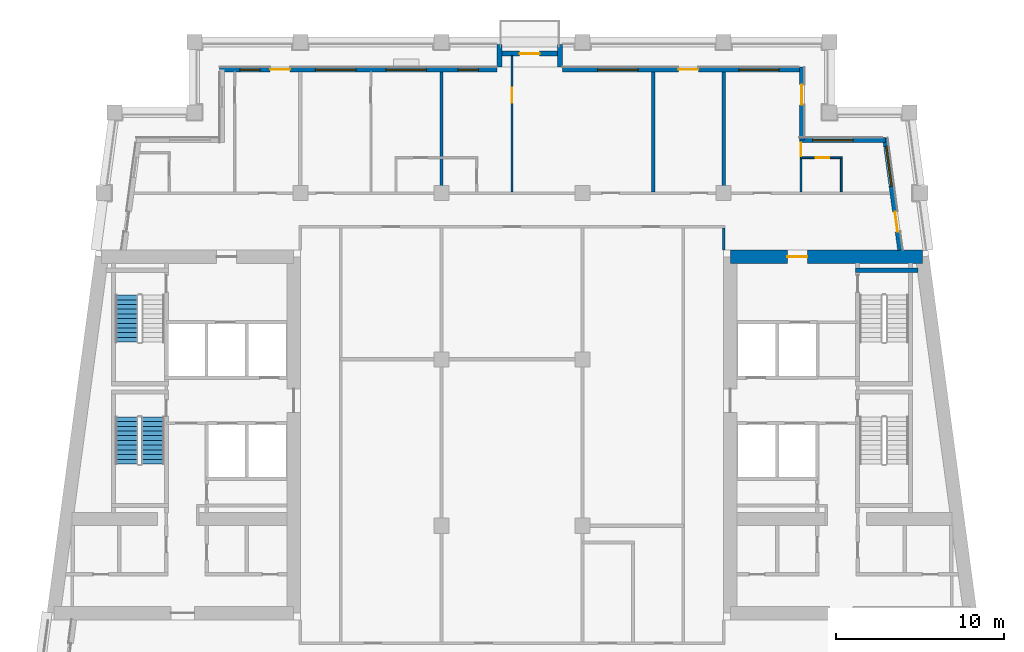
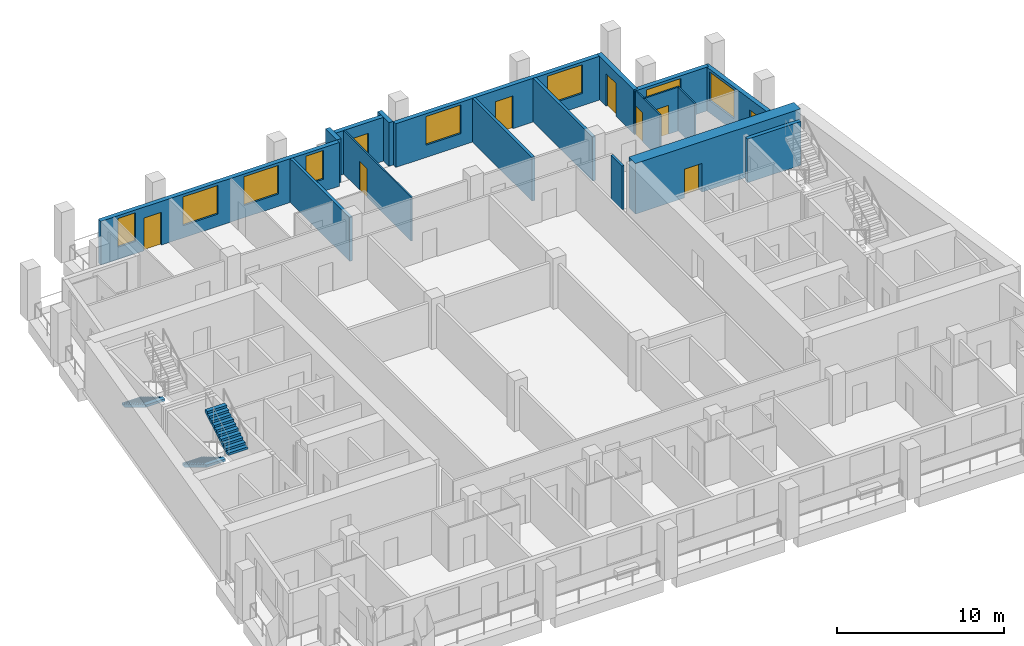
# One storey, part 7 of 13: 18 walls, 9 doors, 8 windows, 3 stair flights, 17 openings, 2 elements without a shape of their own.
"""IFC4 building model written with IfcOpenShell, lengths in metres."""

from ifc_helpers import new_model, si_unit, direction, frame, frame_2d, origin, place, context, subcontext, project, spatial, polyline, rectangle, outline, extrude, material, layer, layer_set, type_object, element, fill, aggregate, save


model = new_model("IFC4")

# Units and contexts
model_context = context("Model", 3, precision=1e-05, world=origin(), true_north=direction((0.0, 1.0)))
body_context = subcontext(model_context, "Body", "Model", "MODEL_VIEW")
ifc_project = project(units=[si_unit("LENGTHUNIT", "METRE"), si_unit("AREAUNIT", "SQUARE_METRE"), si_unit("VOLUMEUNIT", "CUBIC_METRE"), si_unit("PLANEANGLEUNIT", "RADIAN"), si_unit("MASSUNIT", "GRAM", prefix="KILO")], contexts=[model_context])

# Site, building, storey
site_placement = place(None, origin())
site = spatial("IfcSite", under=ifc_project, at=site_placement, CompositionType="ELEMENT")
building_placement = place(site_placement, origin())
building = spatial("IfcBuilding", under=site, at=building_placement, Name="Candeia Pilgrim Tower and Theatre", CompositionType="ELEMENT")
storey_placement = place(building_placement, frame((0.0, 0.0, 242.89990234375)))
storey = spatial("IfcBuildingStorey", under=building, at=storey_placement, Name="L59", CompositionType="ELEMENT", Elevation=242.89990234375)

# Wall, opening, door
ifc_material_1 = material(Name="Concrete C50/60", Category="concrete")
ifc_layer_1 = layer(ifc_material_1, 0.800048828125)
ifc_layer_set_1 = layer_set([ifc_layer_1], Name="Core wall 800 C50/60")
wall_type_1 = type_object("IfcWallType", Name="Core wall 800 C50/60", PredefinedType="SHEAR", material=ifc_layer_set_1)
wall_1_placement = place(storey_placement, frame((126.39990234375, 132.0, 0.0), z_axis=(0.0, 0.0, 1.0), x_axis=(1.0, 0.0, 0.0)))
wall_1 = element("IfcWall", 1, at=wall_1_placement, inside=storey, type_object=wall_type_1, Name="Core wall E1", PredefinedType="SHEAR", context=body_context, shape_type="SweptSolid", body=[
    extrude(rectangle(XDim=11.419677734375, YDim=0.800048828125, at=frame_2d((5.7099609375, 0.0))), origin(), (0.0, 0.0, 1.0), 3.7001953125),
])
opening_1_placement = place(wall_1_placement, frame((3.386474609375, 0.0, 0.0)))
opening_1 = element("IfcOpeningElement", 2, at=opening_1_placement, cuts=wall_1, Name="Opening L59-D060", PredefinedType="OPENING", context=body_context, shape_type="SweptSolid", body=[
    extrude(rectangle(XDim=1.199951171875, YDim=2.10009765625, at=frame_2d((0.60009765625, 1.050048828125))), frame((0.0, 0.41015625, 0.0), z_axis=(0.0, -1.0, 0.0), x_axis=(1.0, 0.0, 0.0)), (0.0, 0.0, 1.0), 0.820068359375),
])
ifc_material_2 = material(Name="Steel fire door set", Category="steel")
door_type_1 = type_object("IfcDoorType", Name="D-1200-FD60", OperationType="NOTDEFINED", PredefinedType="DOOR", material=ifc_material_2)
door_1_placement = place(opening_1_placement, origin())
door_1 = element("IfcDoor", 3, at=door_1_placement, inside=storey, type_object=door_type_1, Name="Door L59-D060", OperationType="SINGLE_SWING_LEFT", OverallHeight=2.10009765625, OverallWidth=1.199951171875, PredefinedType="DOOR", context=body_context, shape_type="SweptSolid", body=[
    extrude(rectangle(XDim=1.199951171875, YDim=2.10009765625, at=frame_2d((0.60009765625, 1.050048828125))), frame((0.0, 0.02490234375, 0.0), z_axis=(0.0, -1.0, 0.0), x_axis=(1.0, 0.0, 0.0)), (0.0, 0.0, 1.0), 0.050048828125),
])
fill(opening_1, door_1)

# Wall, openings, door, window
ifc_material_3 = material(Name="Ceramic block masonry", Category="masonry")
ifc_layer_2 = layer(ifc_material_3, 0.300048828125)
ifc_layer_set_2 = layer_set([ifc_layer_2], Name="EW1 glazing-line wall 300")
wall_type_2 = type_object("IfcWallType", Name="EW1 glazing-line wall 300", PredefinedType="SOLIDWALL", material=ifc_layer_set_2)
wall_2_placement = place(storey_placement, frame((136.50439453125, 132.39990234375, 0.0), z_axis=(0.0, 0.0, 1.0), x_axis=(-0.133399697462, 0.99106231929, 0.0)))
wall_2 = element("IfcWall", 4, at=wall_2_placement, inside=storey, type_object=wall_type_2, Name="External wall L59-3.1", PredefinedType="SOLIDWALL", context=body_context, shape_type="SweptSolid", body=[
    extrude(rectangle(XDim=6.740478515625, YDim=0.300048828125, at=frame_2d((3.3701171875, 0.0))), origin(), (0.0, 0.0, 1.0), 3.2001953125),
])
opening_2_placement = place(wall_2_placement, frame((1.115234375, 0.0, 0.0)))
opening_2 = element("IfcOpeningElement", 5, at=opening_2_placement, cuts=wall_2, Name="Opening L59-ED569", PredefinedType="OPENING", context=body_context, shape_type="SweptSolid", body=[
    extrude(rectangle(XDim=1.199951171875, YDim=2.39990234375, at=frame_2d((0.60009765625, 1.199951171875))), frame((0.0, 0.16015625, 0.0), z_axis=(0.0, -1.0, 0.0), x_axis=(1.0, 0.0, 0.0)), (0.0, 0.0, 1.0), 0.320068359375),
])
opening_3_placement = place(wall_2_placement, frame((3.83544921875, 0.0, 0.89990234375)))
opening_3 = element("IfcOpeningElement", 6, at=opening_3_placement, cuts=wall_2, Name="Opening W-A", PredefinedType="OPENING", context=body_context, shape_type="SweptSolid", body=[
    extrude(rectangle(XDim=2.39990234375, YDim=2.10009765625, at=frame_2d((1.199951171875, 1.050048828125))), frame((0.0, 0.16015625, 0.0), z_axis=(0.0, -1.0, 0.0), x_axis=(1.0, 0.0, 0.0)), (0.0, 0.0, 1.0), 0.320068359375),
])
ifc_material_4 = material(Name="Aluminium framed glazed door", Category="aluminium")
door_type_2 = type_object("IfcDoorType", Name="Loggia door 1200x2400", OperationType="DOUBLE_DOOR_SINGLE_SWING", PredefinedType="DOOR", material=ifc_material_4)
door_2_placement = place(opening_2_placement, origin())
door_2 = element("IfcDoor", 7, at=door_2_placement, inside=storey, type_object=door_type_2, Name="Loggia door L59-ED569", OperationType="DOUBLE_DOOR_SINGLE_SWING", OverallHeight=2.39990234375, OverallWidth=1.199951171875, PredefinedType="DOOR", context=body_context, shape_type="SweptSolid", body=[
    extrude(rectangle(XDim=1.199951171875, YDim=2.39990234375, at=frame_2d((0.60009765625, 1.199951171875))), frame((0.0, 0.02490234375, 0.0), z_axis=(0.0, -1.0, 0.0), x_axis=(1.0, 0.0, 0.0)), (0.0, 0.0, 1.0), 0.050048828125),
])
fill(opening_2, door_2)
ifc_material_5 = material(Name="Aluminium framed double glazing", Category="aluminium")
window_type_1 = type_object("IfcWindowType", Name="W-A window 2400x2100", PartitioningType="DOUBLE_PANEL_VERTICAL", PredefinedType="WINDOW", material=ifc_material_5)
window_1_placement = place(opening_3_placement, origin())
window_1 = element("IfcWindow", 8, at=window_1_placement, inside=storey, type_object=window_type_1, Name="Window W-A L59", OverallHeight=2.10009765625, OverallWidth=2.39990234375, PartitioningType="SINGLE_PANEL", PredefinedType="WINDOW", context=body_context, shape_type="SweptSolid", body=[
    extrude(rectangle(XDim=2.39990234375, YDim=2.10009765625, at=frame_2d((1.199951171875, 1.050048828125))), frame((0.0, 0.030029296875, 0.0), z_axis=(0.0, -1.0, 0.0), x_axis=(1.0, 0.0, 0.0)), (0.0, 0.0, 1.0), 0.06005859375),
])
fill(opening_3, window_1)

# Wall, opening, window
wall_3_placement = place(storey_placement, frame((135.62255859375, 138.949951171875, 0.0), z_axis=(0.0, 0.0, 1.0), x_axis=(-1.0, 0.0, 0.0)))
wall_3 = element("IfcWall", 9, at=wall_3_placement, inside=storey, type_object=wall_type_2, Name="External wall L59-4.0", PredefinedType="SOLIDWALL", context=body_context, shape_type="SweptSolid", body=[
    extrude(rectangle(XDim=5.12255859375, YDim=0.300048828125, at=frame_2d((2.561279296875, 0.0))), origin(), (0.0, 0.0, 1.0), 3.2001953125),
])
opening_4_placement = place(wall_3_placement, frame((1.922607421875, 0.0, 0.89990234375)))
opening_4 = element("IfcOpeningElement", 10, at=opening_4_placement, cuts=wall_3, Name="Opening W-A", PredefinedType="OPENING", context=body_context, shape_type="SweptSolid", body=[
    extrude(rectangle(XDim=2.39990234375, YDim=2.10009765625, at=frame_2d((1.199951171875, 1.050048828125))), frame((0.0, 0.16015625, 0.0), z_axis=(0.0, -1.0, 0.0), x_axis=(1.0, 0.0, 0.0)), (0.0, 0.0, 1.0), 0.320068359375),
])
window_2_placement = place(opening_4_placement, origin())
window_2 = element("IfcWindow", 11, at=window_2_placement, inside=storey, type_object=window_type_1, Name="Window W-A L59", OverallHeight=2.10009765625, OverallWidth=2.39990234375, PartitioningType="SINGLE_PANEL", PredefinedType="WINDOW", context=body_context, shape_type="SweptSolid", body=[
    extrude(rectangle(XDim=2.39990234375, YDim=2.10009765625, at=frame_2d((1.199951171875, 1.050048828125))), frame((0.0, 0.030029296875, 0.0), z_axis=(0.0, -1.0, 0.0), x_axis=(1.0, 0.0, 0.0)), (0.0, 0.0, 1.0), 0.06005859375),
])
fill(opening_4, window_2)

# Wall, opening, door
wall_4_placement = place(storey_placement, frame((130.64990234375, 138.949951171875, 0.0), z_axis=(0.0, 0.0, 1.0), x_axis=(0.0, 1.0, 0.0)))
wall_4 = element("IfcWall", 12, at=wall_4_placement, inside=storey, type_object=wall_type_2, Name="External wall L59-5.0", PredefinedType="SOLIDWALL", context=body_context, shape_type="SweptSolid", body=[
    extrude(rectangle(XDim=4.35009765625, YDim=0.300048828125, at=frame_2d((2.175048828125, 0.0))), origin(), (0.0, 0.0, 1.0), 3.2001953125),
])
opening_5_placement = place(wall_4_placement, frame((2.10009765625, 0.0, 0.0)))
opening_5 = element("IfcOpeningElement", 13, at=opening_5_placement, cuts=wall_4, Name="Opening L59-ED570", PredefinedType="OPENING", context=body_context, shape_type="SweptSolid", body=[
    extrude(rectangle(XDim=1.199951171875, YDim=2.39990234375, at=frame_2d((0.60009765625, 1.199951171875))), frame((0.0, 0.16015625, 0.0), z_axis=(0.0, -1.0, 0.0), x_axis=(1.0, 0.0, 0.0)), (0.0, 0.0, 1.0), 0.320068359375),
])
door_3_placement = place(opening_5_placement, origin())
door_3 = element("IfcDoor", 14, at=door_3_placement, inside=storey, type_object=door_type_2, Name="Loggia door L59-ED570", OperationType="DOUBLE_DOOR_SINGLE_SWING", OverallHeight=2.39990234375, OverallWidth=1.199951171875, PredefinedType="DOOR", context=body_context, shape_type="SweptSolid", body=[
    extrude(rectangle(XDim=1.199951171875, YDim=2.39990234375, at=frame_2d((0.60009765625, 1.199951171875))), frame((0.0, 0.02490234375, 0.0), z_axis=(0.0, -1.0, 0.0), x_axis=(1.0, 0.0, 0.0)), (0.0, 0.0, 1.0), 0.050048828125),
])
fill(opening_5, door_3)

# Wall, openings, door, windows
wall_5_placement = place(storey_placement, frame((130.64990234375, 143.14990234375, 0.0), z_axis=(0.0, 0.0, 1.0), x_axis=(-1.0, 0.0, 0.0)))
wall_5 = element("IfcWall", 15, at=wall_5_placement, inside=storey, type_object=wall_type_2, Name="External wall L59-6.0", PredefinedType="SOLIDWALL", context=body_context, shape_type="SweptSolid", body=[
    extrude(rectangle(XDim=14.25, YDim=0.300048828125, at=frame_2d((7.125, 0.0))), origin(), (0.0, 0.0, 1.0), 3.2001953125),
])
opening_6_placement = place(wall_5_placement, frame((1.35009765625, 0.0, 0.89990234375)))
opening_6 = element("IfcOpeningElement", 16, at=opening_6_placement, cuts=wall_5, Name="Opening W-A", PredefinedType="OPENING", context=body_context, shape_type="SweptSolid", body=[
    extrude(rectangle(XDim=2.39990234375, YDim=2.10009765625, at=frame_2d((1.199951171875, 1.050048828125))), frame((0.0, 0.16015625, 0.0), z_axis=(0.0, -1.0, 0.0), x_axis=(1.0, 0.0, 0.0)), (0.0, 0.0, 1.0), 0.320068359375),
])
opening_7_placement = place(wall_5_placement, frame((6.14990234375, 0.0, 0.0)))
opening_7 = element("IfcOpeningElement", 17, at=opening_7_placement, cuts=wall_5, Name="Opening L59-ED571", PredefinedType="OPENING", context=body_context, shape_type="SweptSolid", body=[
    extrude(rectangle(XDim=1.199951171875, YDim=2.39990234375, at=frame_2d((0.60009765625, 1.199951171875))), frame((0.0, 0.16015625, 0.0), z_axis=(0.0, -1.0, 0.0), x_axis=(1.0, 0.0, 0.0)), (0.0, 0.0, 1.0), 0.320068359375),
])
opening_8_placement = place(wall_5_placement, frame((9.75, 0.0, 0.89990234375)))
opening_8 = element("IfcOpeningElement", 18, at=opening_8_placement, cuts=wall_5, Name="Opening W-A", PredefinedType="OPENING", context=body_context, shape_type="SweptSolid", body=[
    extrude(rectangle(XDim=2.39990234375, YDim=2.10009765625, at=frame_2d((1.199951171875, 1.050048828125))), frame((0.0, 0.16015625, 0.0), z_axis=(0.0, -1.0, 0.0), x_axis=(1.0, 0.0, 0.0)), (0.0, 0.0, 1.0), 0.320068359375),
])
door_4_placement = place(opening_7_placement, origin())
door_4 = element("IfcDoor", 19, at=door_4_placement, inside=storey, type_object=door_type_2, Name="Loggia door L59-ED571", OperationType="DOUBLE_DOOR_SINGLE_SWING", OverallHeight=2.39990234375, OverallWidth=1.199951171875, PredefinedType="DOOR", context=body_context, shape_type="SweptSolid", body=[
    extrude(rectangle(XDim=1.199951171875, YDim=2.39990234375, at=frame_2d((0.60009765625, 1.199951171875))), frame((0.0, 0.02490234375, 0.0), z_axis=(0.0, -1.0, 0.0), x_axis=(1.0, 0.0, 0.0)), (0.0, 0.0, 1.0), 0.050048828125),
])
fill(opening_7, door_4)
window_3_placement = place(opening_6_placement, origin())
window_3 = element("IfcWindow", 20, at=window_3_placement, inside=storey, type_object=window_type_1, Name="Window W-A L59", OverallHeight=2.10009765625, OverallWidth=2.39990234375, PartitioningType="SINGLE_PANEL", PredefinedType="WINDOW", context=body_context, shape_type="SweptSolid", body=[
    extrude(rectangle(XDim=2.39990234375, YDim=2.10009765625, at=frame_2d((1.199951171875, 1.050048828125))), frame((0.0, 0.030029296875, 0.0), z_axis=(0.0, -1.0, 0.0), x_axis=(1.0, 0.0, 0.0)), (0.0, 0.0, 1.0), 0.06005859375),
])
fill(opening_6, window_3)
window_4_placement = place(opening_8_placement, origin())
window_4 = element("IfcWindow", 21, at=window_4_placement, inside=storey, type_object=window_type_1, Name="Window W-A L59", OverallHeight=2.10009765625, OverallWidth=2.39990234375, PartitioningType="SINGLE_PANEL", PredefinedType="WINDOW", context=body_context, shape_type="SweptSolid", body=[
    extrude(rectangle(XDim=2.39990234375, YDim=2.10009765625, at=frame_2d((1.199951171875, 1.050048828125))), frame((0.0, 0.030029296875, 0.0), z_axis=(0.0, -1.0, 0.0), x_axis=(1.0, 0.0, 0.0)), (0.0, 0.0, 1.0), 0.06005859375),
])
fill(opening_8, window_4)

wall_6_placement = place(storey_placement, frame((112.5, 143.14990234375, 0.0), z_axis=(0.0, 0.0, 1.0), x_axis=(-1.0, 0.0, 0.0)))
wall_6 = element("IfcWall", 22, at=wall_6_placement, inside=storey, type_object=wall_type_2, Name="External wall L59-6.1", PredefinedType="SOLIDWALL", context=body_context, shape_type="SweptSolid", body=[
    extrude(rectangle(XDim=16.5, YDim=0.300048828125, at=frame_2d((8.25, 0.0))), origin(), (0.0, 0.0, 1.0), 3.2001953125),
])
opening_9_placement = place(wall_6_placement, frame((1.10009765625, 0.0, 0.89990234375)))
opening_9 = element("IfcOpeningElement", 23, at=opening_9_placement, cuts=wall_6, Name="Opening W-B", PredefinedType="OPENING", context=body_context, shape_type="SweptSolid", body=[
    extrude(rectangle(XDim=1.199951171875, YDim=2.10009765625, at=frame_2d((0.60009765625, 1.050048828125))), frame((0.0, 0.16015625, 0.0), z_axis=(0.0, -1.0, 0.0), x_axis=(1.0, 0.0, 0.0)), (0.0, 0.0, 1.0), 0.320068359375),
])
opening_10_placement = place(wall_6_placement, frame((4.199951171875, 0.0, 0.89990234375)))
opening_10 = element("IfcOpeningElement", 24, at=opening_10_placement, cuts=wall_6, Name="Opening W-A", PredefinedType="OPENING", context=body_context, shape_type="SweptSolid", body=[
    extrude(rectangle(XDim=2.39990234375, YDim=2.10009765625, at=frame_2d((1.199951171875, 1.050048828125))), frame((0.0, 0.16015625, 0.0), z_axis=(0.0, -1.0, 0.0), x_axis=(1.0, 0.0, 0.0)), (0.0, 0.0, 1.0), 0.320068359375),
])
opening_11_placement = place(wall_6_placement, frame((8.39990234375, 0.0, 0.89990234375)))
opening_11 = element("IfcOpeningElement", 25, at=opening_11_placement, cuts=wall_6, Name="Opening W-A", PredefinedType="OPENING", context=body_context, shape_type="SweptSolid", body=[
    extrude(rectangle(XDim=2.39990234375, YDim=2.10009765625, at=frame_2d((1.199951171875, 1.050048828125))), frame((0.0, 0.16015625, 0.0), z_axis=(0.0, -1.0, 0.0), x_axis=(1.0, 0.0, 0.0)), (0.0, 0.0, 1.0), 0.320068359375),
])
opening_12_placement = place(wall_6_placement, frame((12.300048828125, 0.0, 0.0)))
opening_12 = element("IfcOpeningElement", 26, at=opening_12_placement, cuts=wall_6, Name="Opening L59-ED572", PredefinedType="OPENING", context=body_context, shape_type="SweptSolid", body=[
    extrude(rectangle(XDim=1.199951171875, YDim=2.39990234375, at=frame_2d((0.60009765625, 1.199951171875))), frame((0.0, 0.16015625, 0.0), z_axis=(0.0, -1.0, 0.0), x_axis=(1.0, 0.0, 0.0)), (0.0, 0.0, 1.0), 0.320068359375),
])
opening_13_placement = place(wall_6_placement, frame((14.10009765625, 0.0, 0.89990234375)))
opening_13 = element("IfcOpeningElement", 27, at=opening_13_placement, cuts=wall_6, Name="Opening W-B", PredefinedType="OPENING", context=body_context, shape_type="SweptSolid", body=[
    extrude(rectangle(XDim=1.199951171875, YDim=2.10009765625, at=frame_2d((0.60009765625, 1.050048828125))), frame((0.0, 0.16015625, 0.0), z_axis=(0.0, -1.0, 0.0), x_axis=(1.0, 0.0, 0.0)), (0.0, 0.0, 1.0), 0.320068359375),
])
door_5_placement = place(opening_12_placement, origin())
door_5 = element("IfcDoor", 28, at=door_5_placement, inside=storey, type_object=door_type_2, Name="Loggia door L59-ED572", OperationType="DOUBLE_DOOR_SINGLE_SWING", OverallHeight=2.39990234375, OverallWidth=1.199951171875, PredefinedType="DOOR", context=body_context, shape_type="SweptSolid", body=[
    extrude(rectangle(XDim=1.199951171875, YDim=2.39990234375, at=frame_2d((0.60009765625, 1.199951171875))), frame((0.0, 0.02490234375, 0.0), z_axis=(0.0, -1.0, 0.0), x_axis=(1.0, 0.0, 0.0)), (0.0, 0.0, 1.0), 0.050048828125),
])
fill(opening_12, door_5)
window_5_placement = place(opening_10_placement, origin())
window_5 = element("IfcWindow", 29, at=window_5_placement, inside=storey, type_object=window_type_1, Name="Window W-A L59", OverallHeight=2.10009765625, OverallWidth=2.39990234375, PartitioningType="SINGLE_PANEL", PredefinedType="WINDOW", context=body_context, shape_type="SweptSolid", body=[
    extrude(rectangle(XDim=2.39990234375, YDim=2.10009765625, at=frame_2d((1.199951171875, 1.050048828125))), frame((0.0, 0.030029296875, 0.0), z_axis=(0.0, -1.0, 0.0), x_axis=(1.0, 0.0, 0.0)), (0.0, 0.0, 1.0), 0.06005859375),
])
fill(opening_10, window_5)
window_6_placement = place(opening_11_placement, origin())
window_6 = element("IfcWindow", 30, at=window_6_placement, inside=storey, type_object=window_type_1, Name="Window W-A L59", OverallHeight=2.10009765625, OverallWidth=2.39990234375, PartitioningType="SINGLE_PANEL", PredefinedType="WINDOW", context=body_context, shape_type="SweptSolid", body=[
    extrude(rectangle(XDim=2.39990234375, YDim=2.10009765625, at=frame_2d((1.199951171875, 1.050048828125))), frame((0.0, 0.030029296875, 0.0), z_axis=(0.0, -1.0, 0.0), x_axis=(1.0, 0.0, 0.0)), (0.0, 0.0, 1.0), 0.06005859375),
])
fill(opening_11, window_6)
window_type_2 = type_object("IfcWindowType", Name="W-B window 1200x2100", PartitioningType="SINGLE_PANEL", PredefinedType="WINDOW", material=ifc_material_5)
window_7_placement = place(opening_9_placement, origin())
window_7 = element("IfcWindow", 31, at=window_7_placement, inside=storey, type_object=window_type_2, Name="Window W-B L59", OverallHeight=2.10009765625, OverallWidth=1.199951171875, PartitioningType="SINGLE_PANEL", PredefinedType="WINDOW", context=body_context, shape_type="SweptSolid", body=[
    extrude(rectangle(XDim=1.199951171875, YDim=2.10009765625, at=frame_2d((0.60009765625, 1.050048828125))), frame((0.0, 0.030029296875, 0.0), z_axis=(0.0, -1.0, 0.0), x_axis=(1.0, 0.0, 0.0)), (0.0, 0.0, 1.0), 0.06005859375),
])
fill(opening_9, window_7)
window_8_placement = place(opening_13_placement, origin())
window_8 = element("IfcWindow", 32, at=window_8_placement, inside=storey, type_object=window_type_2, Name="Window W-B L59", OverallHeight=2.10009765625, OverallWidth=1.199951171875, PartitioningType="SINGLE_PANEL", PredefinedType="WINDOW", context=body_context, shape_type="SweptSolid", body=[
    extrude(rectangle(XDim=1.199951171875, YDim=2.10009765625, at=frame_2d((0.60009765625, 1.050048828125))), frame((0.0, 0.030029296875, 0.0), z_axis=(0.0, -1.0, 0.0), x_axis=(1.0, 0.0, 0.0)), (0.0, 0.0, 1.0), 0.06005859375),
])
fill(opening_13, window_8)

# Walls
ifc_layer_3 = layer(ifc_material_3, 0.300048828125)
ifc_layer_set_3 = layer_set([ifc_layer_3], Name="EW2 entrance infill wall 300")
wall_type_3 = type_object("IfcWallType", Name="EW2 entrance infill wall 300", PredefinedType="SOLIDWALL", material=ifc_layer_set_3)
for number, where, z_axis, x_axis, name in (
    (33, (116.25, 143.300048828125, 0.0), (0.0, 0.0, 1.0), (0.0, 1.0, 0.0), "Alcove wall L59"),
    (34, (112.64990234375, 143.300048828125, 0.0), (0.0, 0.0, 1.0), (0.0, 1.0, 0.0), "Alcove wall L59"),
):
    element("IfcWall", number, at=place(storey_placement, frame(where, z_axis=z_axis, x_axis=x_axis)), inside=storey, type_object=wall_type_3, Name=name, PredefinedType="SOLIDWALL", context=body_context, shape_type="SweptSolid", body=[
        extrude(rectangle(XDim=1.349853515625, YDim=0.300048828125, at=frame_2d((0.6748046875, 0.0))), origin(), (0.0, 0.0, 1.0), 3.2001953125),
    ])

# Wall, opening, door
wall_7_placement = place(storey_placement, frame((116.39990234375, 144.10009765625, 0.0), z_axis=(0.0, 0.0, 1.0), x_axis=(-1.0, 0.0, 0.0)))
wall_7 = element("IfcWall", 35, at=wall_7_placement, inside=storey, type_object=wall_type_3, Name="Alcove wall L59", PredefinedType="SOLIDWALL", context=body_context, shape_type="SweptSolid", body=[
    extrude(rectangle(XDim=3.89990234375, YDim=0.300048828125, at=frame_2d((1.949951171875, 0.0))), origin(), (0.0, 0.0, 1.0), 3.2001953125),
])
opening_14_placement = place(wall_7_placement, frame((1.35009765625, 0.0, 0.0)))
opening_14 = element("IfcOpeningElement", 36, at=opening_14_placement, cuts=wall_7, Name="Opening L59-ED573", PredefinedType="OPENING", context=body_context, shape_type="SweptSolid", body=[
    extrude(rectangle(XDim=1.199951171875, YDim=2.39990234375, at=frame_2d((0.60009765625, 1.199951171875))), frame((0.0, 0.16015625, 0.0), z_axis=(0.0, -1.0, 0.0), x_axis=(1.0, 0.0, 0.0)), (0.0, 0.0, 1.0), 0.320068359375),
])
door_6_placement = place(opening_14_placement, origin())
door_6 = element("IfcDoor", 37, at=door_6_placement, inside=storey, type_object=door_type_2, Name="Balcony door L59-ED573", OperationType="DOUBLE_DOOR_SINGLE_SWING", OverallHeight=2.39990234375, OverallWidth=1.199951171875, PredefinedType="DOOR", context=body_context, shape_type="SweptSolid", body=[
    extrude(rectangle(XDim=1.199951171875, YDim=2.39990234375, at=frame_2d((0.60009765625, 1.199951171875))), frame((0.0, 0.02490234375, 0.0), z_axis=(0.0, -1.0, 0.0), x_axis=(1.0, 0.0, 0.0)), (0.0, 0.0, 1.0), 0.050048828125),
])
fill(opening_14, door_6)

ifc_material_6 = material(Name="Gypsum board partition on steel studs", Category="steel")
ifc_layer_4 = layer(ifc_material_6, 0.10009765625)
ifc_layer_set_4 = layer_set([ifc_layer_4], Name="PW-100 room partition")
wall_type_4 = type_object("IfcWallType", Name="PW-100 room partition", PredefinedType="PARTITIONING", material=ifc_layer_set_4)
wall_8_placement = place(storey_placement, frame((130.60009765625, 137.89990234375, 0.0), z_axis=(0.0, 0.0, 1.0), x_axis=(1.0, 0.0, 0.0)))
wall_8 = element("IfcWall", 38, at=wall_8_placement, inside=storey, type_object=wall_type_4, Name="Room partition L59-045", PredefinedType="PARTITIONING", context=body_context, shape_type="SweptSolid", body=[
    extrude(rectangle(XDim=2.449951171875, YDim=0.10009765625, at=frame_2d((1.22509765625, 0.0))), origin(), (0.0, 0.0, 1.0), 3.2001953125),
])
opening_15_placement = place(wall_8_placement, frame((0.889892578125, 0.0, 0.0)))
opening_15 = element("IfcOpeningElement", 39, at=opening_15_placement, cuts=wall_8, Name="Opening L59-D048", PredefinedType="OPENING", context=body_context, shape_type="SweptSolid", body=[
    extrude(rectangle(XDim=0.800048828125, YDim=2.10009765625, at=frame_2d((0.39990234375, 1.050048828125))), frame((0.0, 0.06005859375, 0.0), z_axis=(0.0, -1.0, 0.0), x_axis=(1.0, 0.0, 0.0)), (0.0, 0.0, 1.0), 0.1201171875),
])
ifc_material_7 = material(Name="Timber door leaf", Category="wood")
door_type_3 = type_object("IfcDoorType", Name="D-800", OperationType="NOTDEFINED", PredefinedType="DOOR", material=ifc_material_7)
door_7_placement = place(opening_15_placement, origin())
door_7 = element("IfcDoor", 40, at=door_7_placement, inside=storey, type_object=door_type_3, Name="Door L59-D048", OperationType="SINGLE_SWING_LEFT", OverallHeight=2.10009765625, OverallWidth=0.800048828125, PredefinedType="DOOR", context=body_context, shape_type="SweptSolid", body=[
    extrude(rectangle(XDim=0.800048828125, YDim=2.10009765625, at=frame_2d((0.39990234375, 1.050048828125))), frame((0.0, 0.02490234375, 0.0), z_axis=(0.0, -1.0, 0.0), x_axis=(1.0, 0.0, 0.0)), (0.0, 0.0, 1.0), 0.050048828125),
])
fill(opening_15, door_7)

wall_9_placement = place(storey_placement, frame((113.39990234375, 135.875, 0.0), z_axis=(0.0, 0.0, 1.0), x_axis=(0.0, 1.0, 0.0)))
wall_9 = element("IfcWall", 41, at=wall_9_placement, inside=storey, type_object=wall_type_4, Name="Room partition L59-084", PredefinedType="PARTITIONING", context=body_context, shape_type="SweptSolid", body=[
    extrude(rectangle(XDim=8.0849609375, YDim=0.10009765625, at=frame_2d((4.04248046875, 0.0))), origin(), (0.0, 0.0, 1.0), 3.2001953125),
])
opening_16_placement = place(wall_9_placement, frame((5.2900390625, 0.0, 0.0)))
opening_16 = element("IfcOpeningElement", 42, at=opening_16_placement, cuts=wall_9, Name="Opening L59-D043", PredefinedType="OPENING", context=body_context, shape_type="SweptSolid", body=[
    extrude(rectangle(XDim=0.89990234375, YDim=2.10009765625, at=frame_2d((0.449951171875, 1.050048828125))), frame((0.0, 0.06005859375, 0.0), z_axis=(0.0, -1.0, 0.0), x_axis=(1.0, 0.0, 0.0)), (0.0, 0.0, 1.0), 0.1201171875),
])
door_type_4 = type_object("IfcDoorType", Name="D-900", OperationType="NOTDEFINED", PredefinedType="DOOR", material=ifc_material_7)
door_8_placement = place(opening_16_placement, origin())
door_8 = element("IfcDoor", 43, at=door_8_placement, inside=storey, type_object=door_type_4, Name="Door L59-D043", OperationType="SINGLE_SWING_RIGHT", OverallHeight=2.10009765625, OverallWidth=0.89990234375, PredefinedType="DOOR", context=body_context, shape_type="SweptSolid", body=[
    extrude(rectangle(XDim=0.89990234375, YDim=2.10009765625, at=frame_2d((0.449951171875, 1.050048828125))), frame((0.0, 0.02490234375, 0.0), z_axis=(0.0, -1.0, 0.0), x_axis=(1.0, 0.0, 0.0)), (0.0, 0.0, 1.0), 0.050048828125),
])
fill(opening_16, door_8)

wall_10_placement = place(storey_placement, frame((130.60009765625, 135.875, 0.0), z_axis=(0.0, 0.0, 1.0), x_axis=(0.0, 1.0, 0.0)))
wall_10 = element("IfcWall", 44, at=wall_10_placement, inside=storey, type_object=wall_type_4, Name="Room partition L59-101", PredefinedType="PARTITIONING", context=body_context, shape_type="SweptSolid", body=[
    extrude(rectangle(XDim=2.93505859375, YDim=0.10009765625, at=frame_2d((1.467529296875, 0.0))), origin(), (0.0, 0.0, 1.0), 3.2001953125),
])
opening_17_placement = place(wall_10_placement, frame((2.10498046875, 0.0, 0.0)))
opening_17 = element("IfcOpeningElement", 45, at=opening_17_placement, cuts=wall_10, Name="Opening L59-D047", PredefinedType="OPENING", context=body_context, shape_type="SweptSolid", body=[
    extrude(rectangle(XDim=0.800048828125, YDim=2.10009765625, at=frame_2d((0.39990234375, 1.050048828125))), frame((0.0, 0.06005859375, 0.0), z_axis=(0.0, -1.0, 0.0), x_axis=(1.0, 0.0, 0.0)), (0.0, 0.0, 1.0), 0.1201171875),
])
door_9_placement = place(opening_17_placement, origin())
door_9 = element("IfcDoor", 46, at=door_9_placement, inside=storey, type_object=door_type_3, Name="Door L59-D047", OperationType="SINGLE_SWING_RIGHT", OverallHeight=2.10009765625, OverallWidth=0.800048828125, PredefinedType="DOOR", context=body_context, shape_type="SweptSolid", body=[
    extrude(rectangle(XDim=0.800048828125, YDim=2.10009765625, at=frame_2d((0.39990234375, 1.050048828125))), frame((0.0, 0.02490234375, 0.0), z_axis=(0.0, -1.0, 0.0), x_axis=(1.0, 0.0, 0.0)), (0.0, 0.0, 1.0), 0.050048828125),
])
fill(opening_17, door_9)

# Walls
wall_11_placement = place(storey_placement, frame((133.0, 135.875, 0.0), z_axis=(0.0, 0.0, 1.0), x_axis=(0.0, 1.0, 0.0)))
element("IfcWall", 47, at=wall_11_placement, inside=storey, type_object=wall_type_4, Name="Room partition L59-107", PredefinedType="PARTITIONING", context=body_context, shape_type="SweptSolid", body=[
    extrude(rectangle(XDim=1.97509765625, YDim=0.10009765625, at=frame_2d((0.987548828125, 0.0))), origin(), (0.0, 0.0, 1.0), 3.2001953125),
])
ifc_layer_5 = layer(ifc_material_6, 0.14990234375)
ifc_layer_set_5 = layer_set([ifc_layer_5], Name="PW-150 unit wall")
wall_type_5 = type_object("IfcWallType", Name="PW-150 unit wall", PredefinedType="PARTITIONING", material=ifc_layer_set_5)
wall_12_placement = place(storey_placement, frame((126.0, 132.39990234375, 0.0), z_axis=(0.0, 0.0, 1.0), x_axis=(0.0, 1.0, 0.0)))
element("IfcWall", 48, at=wall_12_placement, inside=storey, type_object=wall_type_5, Name="Unit wall L59-096", PredefinedType="PARTITIONING", context=body_context, shape_type="SweptSolid", body=[
    extrude(rectangle(XDim=1.3251953125, YDim=0.14990234375, at=frame_2d((0.66259765625, 0.0))), origin(), (0.0, 0.0, 1.0), 3.2001953125),
])
ifc_layer_6 = layer(ifc_material_6, 0.199951171875)
ifc_layer_set_6 = layer_set([ifc_layer_6], Name="PW-200 party wall")
wall_type_6 = type_object("IfcWallType", Name="PW-200 party wall", PredefinedType="PARTITIONING", material=ifc_layer_set_6)
for number, where, z_axis, x_axis, name in (
    (49, (109.199951171875, 135.875, 0.0), (0.0, 0.0, 1.0), (0.0, 1.0, 0.0), "Party wall L59-081"),
    (50, (121.800048828125, 135.875, 0.0), (0.0, 0.0, 1.0), (0.0, 1.0, 0.0), "Party wall L59-092"),
    (51, (126.0, 135.875, 0.0), (0.0, 0.0, 1.0), (0.0, 1.0, 0.0), "Party wall L59-094"),
):
    element("IfcWall", number, at=place(storey_placement, frame(where, z_axis=z_axis, x_axis=x_axis)), inside=storey, type_object=wall_type_6, Name=name, PredefinedType="PARTITIONING", context=body_context, shape_type="SweptSolid", body=[
        extrude(rectangle(XDim=7.135009765625, YDim=0.199951171875, at=frame_2d((3.5673828125, 0.0))), origin(), (0.0, 0.0, 1.0), 3.2001953125),
    ])
ifc_material_8 = material(Name="Concrete C40/50", Category="concrete")
ifc_layer_7 = layer(ifc_material_8, 0.25)
ifc_layer_set_7 = layer_set([ifc_layer_7], Name="SW-250 stair wall")
wall_type_7 = type_object("IfcWallType", Name="SW-250 stair wall", PredefinedType="PARTITIONING", material=ifc_layer_set_7)
wall_13_placement = place(storey_placement, frame((133.847900390625, 131.199951171875, 0.0), z_axis=(0.0, 0.0, 1.0), x_axis=(1.0, 0.0, 0.0)))
element("IfcWall", 52, at=wall_13_placement, inside=storey, type_object=wall_type_7, Name="Stair wall L59-041", PredefinedType="PARTITIONING", context=body_context, shape_type="SweptSolid", body=[
    extrude(rectangle(XDim=3.705810546875, YDim=0.25, at=frame_2d((1.85302734375, 0.0))), origin(), (0.0, 0.0, 1.0), 3.2001953125),
])

# Stair, stair flights
stair_type = type_object("IfcStairType", Name="ST-TWR dog-leg escape stair", PredefinedType="HALF_TURN_STAIR", material=ifc_material_8)
stair_1_placement = place(storey_placement, origin())
stair_1 = element("IfcStair", 53, at=stair_1_placement, inside=storey, type_object=stair_type, Name="L59 Escape stair ST1", PredefinedType="HALF_TURN_STAIR")
stair_flight_type = type_object("IfcStairFlightType", Name="SFL-RC stair flight", PredefinedType="STRAIGHT", material=ifc_material_8)
stair_flight_1_placement = place(storey_placement, frame((90.47705078125, 122.47509765625, 0.0), z_axis=(0.0, 0.0, 1.0), x_axis=(0.0, -1.0, 0.0)))
stair_flight_1 = element("IfcStairFlight", 54, at=stair_flight_1_placement, type_object=stair_flight_type, Name="ST1 flight 1", NumberOfRisers=11, NumberOfTreads=10, PredefinedType="STRAIGHT", RiserHeight=0.168181818, TreadLength=0.28, context=body_context, shape_type="SweptSolid", body=[
    extrude(outline(polyline([(0.0, 0.0), (0.0, 0.168212890625), (0.280029296875, 0.168212890625), (0.280029296875, 0.33642578125), (0.56005859375, 0.33642578125), (0.56005859375, 0.504638671875), (0.840087890625, 0.504638671875), (0.840087890625, 0.672607421875), (1.1201171875, 0.672607421875), (1.1201171875, 0.8408203125), (1.39990234375, 0.8408203125), (1.39990234375, 1.009033203125), (1.679931640625, 1.009033203125), (1.679931640625, 1.17724609375), (1.9599609375, 1.17724609375), (1.9599609375, 1.345458984375), (2.239990234375, 1.345458984375), (2.239990234375, 1.513671875), (2.52001953125, 1.513671875), (2.52001953125, 1.681884765625), (2.800048828125, 1.681884765625), (2.800048828125, 1.85009765625), (2.800048828125, 1.5068359375), (0.291015625, 0.0), (0.0, 0.0)])), frame((0.0, 0.675048828125, 0.0), z_axis=(0.0, -1.0, 0.0), x_axis=(1.0, 0.0, 0.0)), (0.0, 0.0, 1.0), 1.35009765625),
])
stair_flight_2_placement = place(storey_placement, frame((92.027099609375, 119.675048828125, 1.85009765625), z_axis=(0.0, 0.0, 1.0), x_axis=(0.0, 1.0, 0.0)))
stair_flight_2 = element("IfcStairFlight", 55, at=stair_flight_2_placement, type_object=stair_flight_type, Name="ST1 flight 2", NumberOfRisers=11, NumberOfTreads=10, PredefinedType="STRAIGHT", RiserHeight=0.168181818, TreadLength=0.28, context=body_context, shape_type="SweptSolid", body=[
    extrude(outline(polyline([(0.0, 0.0), (0.0, 0.168212890625), (0.280029296875, 0.168212890625), (0.280029296875, 0.33642578125), (0.56005859375, 0.33642578125), (0.56005859375, 0.504638671875), (0.840087890625, 0.504638671875), (0.840087890625, 0.672607421875), (1.1201171875, 0.672607421875), (1.1201171875, 0.8408203125), (1.39990234375, 0.8408203125), (1.39990234375, 1.009033203125), (1.679931640625, 1.009033203125), (1.679931640625, 1.17724609375), (1.9599609375, 1.17724609375), (1.9599609375, 1.345458984375), (2.239990234375, 1.345458984375), (2.239990234375, 1.513671875), (2.52001953125, 1.513671875), (2.52001953125, 1.681884765625), (2.800048828125, 1.681884765625), (2.800048828125, 1.85009765625), (2.800048828125, 1.5068359375), (0.291015625, 0.0), (0.0, 0.0)])), frame((0.0, 0.675048828125, 0.0), z_axis=(0.0, -1.0, 0.0), x_axis=(1.0, 0.0, 0.0)), (0.0, 0.0, 1.0), 1.35009765625),
])
aggregate(stair_1, [stair_flight_1, stair_flight_2])

# Stair, stair flight
stair_2_placement = place(storey_placement, origin())
stair_2 = element("IfcStair", 56, at=stair_2_placement, inside=storey, type_object=stair_type, Name="L59 Escape stair ST2", PredefinedType="HALF_TURN_STAIR")
stair_flight_3_placement = place(storey_placement, frame((90.47705078125, 129.72509765625, 0.0), z_axis=(0.0, 0.0, 1.0), x_axis=(0.0, -1.0, 0.0)))
stair_flight_3 = element("IfcStairFlight", 57, at=stair_flight_3_placement, type_object=stair_flight_type, Name="ST2 flight 1", NumberOfRisers=11, NumberOfTreads=10, PredefinedType="STRAIGHT", RiserHeight=0.168181818, TreadLength=0.28, context=body_context, shape_type="SweptSolid", body=[
    extrude(outline(polyline([(0.0, 0.0), (0.0, 0.168212890625), (0.280029296875, 0.168212890625), (0.280029296875, 0.33642578125), (0.56005859375, 0.33642578125), (0.56005859375, 0.504638671875), (0.840087890625, 0.504638671875), (0.840087890625, 0.672607421875), (1.1201171875, 0.672607421875), (1.1201171875, 0.8408203125), (1.39990234375, 0.8408203125), (1.39990234375, 1.009033203125), (1.679931640625, 1.009033203125), (1.679931640625, 1.17724609375), (1.9599609375, 1.17724609375), (1.9599609375, 1.345458984375), (2.239990234375, 1.345458984375), (2.239990234375, 1.513671875), (2.52001953125, 1.513671875), (2.52001953125, 1.681884765625), (2.800048828125, 1.681884765625), (2.800048828125, 1.85009765625), (2.800048828125, 1.5068359375), (0.291015625, 0.0), (0.0, 0.0)])), frame((0.0, 0.675048828125, 0.0), z_axis=(0.0, -1.0, 0.0), x_axis=(1.0, 0.0, 0.0)), (0.0, 0.0, 1.0), 1.35009765625),
])
aggregate(stair_2, [stair_flight_3])

save(model, "model.ifc")
